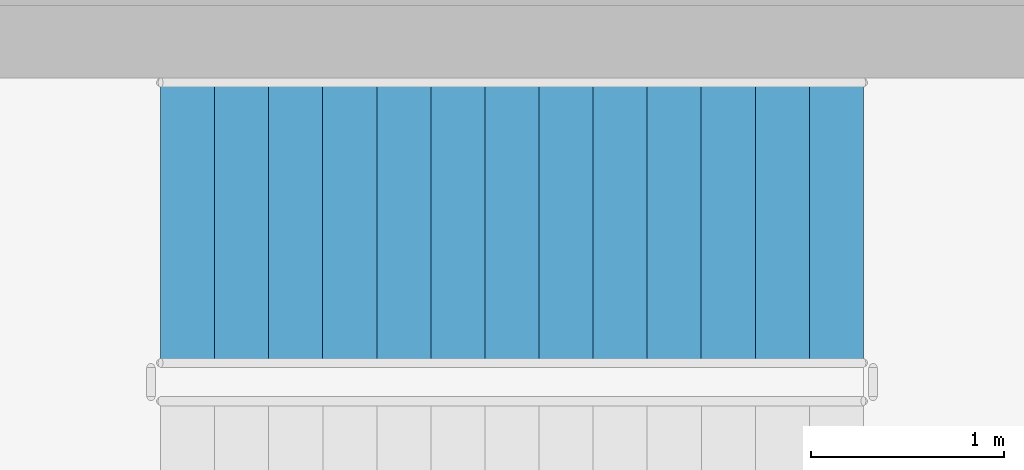
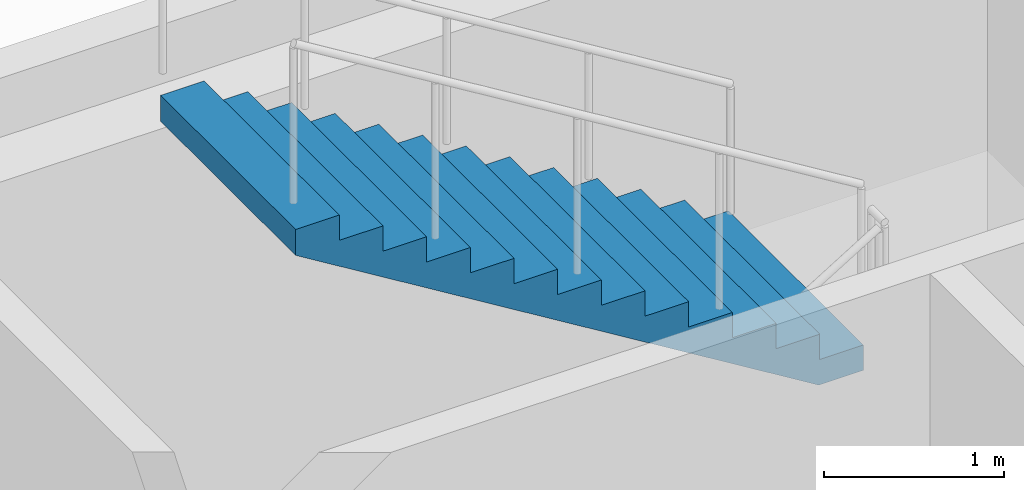
# One storey, part 74 of 91: 1 stair flight, 1 element without a shape of its own.
"""IFC4 building model written with IfcOpenShell, lengths in metres."""

from ifc_helpers import new_model, si_unit, direction, frame, origin, place, context, subcontext, project, spatial, triangles, material, type_object, element, aggregate, save


model = new_model("IFC4")

# Units and contexts
model_context = context("Model", 3, precision=1e-05, world=origin(), true_north=direction((0.0, 1.0)))
body_context = subcontext(model_context, "Body", "Model", "MODEL_VIEW")
ifc_project = project(units=[si_unit("LENGTHUNIT", "METRE"), si_unit("AREAUNIT", "SQUARE_METRE"), si_unit("VOLUMEUNIT", "CUBIC_METRE"), si_unit("PLANEANGLEUNIT", "RADIAN"), si_unit("MASSUNIT", "GRAM", prefix="KILO")], contexts=[model_context])

# Site, building, storey
site_placement = place(None, origin())
site = spatial("IfcSite", under=ifc_project, at=site_placement, CompositionType="ELEMENT")
building_placement = place(site_placement, origin())
building = spatial("IfcBuilding", under=site, at=building_placement, Name="Magnolia Steps Interchange", CompositionType="ELEMENT")
storey_placement = place(building_placement, origin())
storey = spatial("IfcBuildingStorey", under=building, at=storey_placement, Name="L00", CompositionType="ELEMENT", Elevation=0.0)

# Stair, stair flight
ifc_material_1 = material(Name="Concrete C40", Category="concrete")
stair_type = type_object("IfcStairType", Name="Exit stair 1500", PredefinedType="HALF_TURN_STAIR", material=ifc_material_1)
stair_placement = place(storey_placement, origin())
stair = element("IfcStair", 1, at=stair_placement, inside=storey, type_object=stair_type, Name="L00 Stair 27", PredefinedType="HALF_TURN_STAIR")
ifc_material_2 = material(Name="Concrete C40", Category="concrete")
stair_flight_type = type_object("IfcStairFlightType", Name="Exit stair flight", PredefinedType="STRAIGHT", material=ifc_material_2)
stair_flight_placement = place(storey_placement, frame((126.639892578125, 95.14990234375, 2.39990234375), z_axis=(0.0, 0.0, 1.0), x_axis=(-1.0, 0.0, 0.0)))
stair_flight = element("IfcStairFlight", 2, at=stair_flight_placement, type_object=stair_flight_type, Name="Stair 27 flight 2", NumberOfRisers=14, NumberOfTreads=13, PredefinedType="STRAIGHT", RiserHeight=0.171428571, TreadLength=0.28, context=body_context, shape_type="Tessellation", body=[
    triangles([(0.0, -0.75, 0.0), (0.287109375, -0.75, 0.0), (3.639892578125, -0.75, 2.052734375), (3.639892578125, -0.75, 2.228515625), (3.360107421875, -0.75, 2.228515625), (3.360107421875, -0.75, 2.05712890625), (3.080078125, -0.75, 2.05712890625), (3.080078125, -0.75, 1.8857421875), (2.800048828125, -0.75, 1.8857421875), (2.800048828125, -0.75, 1.71435546875), (2.52001953125, -0.75, 1.71435546875), (2.52001953125, -0.75, 1.54296875), (2.239990234375, -0.75, 1.54296875), (2.239990234375, -0.75, 1.371337890625), (1.9599609375, -0.75, 1.371337890625), (1.9599609375, -0.75, 1.199951171875), (1.679931640625, -0.75, 1.199951171875), (1.679931640625, -0.75, 1.028564453125), (1.39990234375, -0.75, 1.028564453125), (1.39990234375, -0.75, 0.857177734375), (1.1201171875, -0.75, 0.857177734375), (1.1201171875, -0.75, 0.685791015625), (0.840087890625, -0.75, 0.685791015625), (0.840087890625, -0.75, 0.514404296875), (0.56005859375, -0.75, 0.514404296875), (0.56005859375, -0.75, 0.3427734375), (0.280029296875, -0.75, 0.3427734375), (0.280029296875, -0.75, 0.17138671875), (0.0, -0.75, 0.17138671875), (0.0, 0.75, 0.0), (0.287109375, 0.75, 0.0), (3.639892578125, 0.75, 2.052734375), (3.639892578125, 0.75, 2.228515625), (3.360107421875, 0.75, 2.228515625), (3.360107421875, 0.75, 2.05712890625), (3.080078125, 0.75, 2.05712890625), (3.080078125, 0.75, 1.8857421875), (2.800048828125, 0.75, 1.8857421875), (2.800048828125, 0.75, 1.71435546875), (2.52001953125, 0.75, 1.71435546875), (2.52001953125, 0.75, 1.54296875), (2.239990234375, 0.75, 1.54296875), (2.239990234375, 0.75, 1.371337890625), (1.9599609375, 0.75, 1.371337890625), (1.9599609375, 0.75, 1.199951171875), (1.679931640625, 0.75, 1.199951171875), (1.679931640625, 0.75, 1.028564453125), (1.39990234375, 0.75, 1.028564453125), (1.39990234375, 0.75, 0.857177734375), (1.1201171875, 0.75, 0.857177734375), (1.1201171875, 0.75, 0.685791015625), (0.840087890625, 0.75, 0.685791015625), (0.840087890625, 0.75, 0.514404296875), (0.56005859375, 0.75, 0.514404296875), (0.56005859375, 0.75, 0.3427734375), (0.280029296875, 0.75, 0.3427734375), (0.280029296875, 0.75, 0.17138671875), (0.0, 0.75, 0.17138671875), (0.0, 0.0, 0.0), (0.0, 0.0, 0.0428466796875), (0.0, 0.0, 0.085693359375), (0.0, 0.0, 0.1285400390625), (0.0, 0.0, 0.17138671875), (0.0, -0.05, 0.0), (0.0, -0.05, 0.17138671875), (0.0, 0.05, 0.0), (0.0, 0.05, 0.17138671875), (0.046671549479166664, 0.0, 0.17138671875), (0.09334309895833333, 0.0, 0.17138671875), (0.1400146484375, 0.0, 0.17138671875), (0.18668619791666666, 0.0, 0.17138671875), (0.23335774739583334, 0.0, 0.17138671875), (0.280029296875, 0.0, 0.17138671875), (0.280029296875, -0.05, 0.17138671875), (0.280029296875, 0.05, 0.17138671875), (0.280029296875, 0.0, 0.2142333984375), (0.280029296875, 0.0, 0.257080078125), (0.280029296875, 0.0, 0.2999267578125), (0.280029296875, 0.0, 0.3427734375), (0.280029296875, -0.05, 0.3427734375), (0.280029296875, 0.05, 0.3427734375), (0.3267008463541667, 0.0, 0.3427734375), (0.3733723958333333, 0.0, 0.3427734375), (0.4200439453125, 0.0, 0.3427734375), (0.46671549479166663, 0.0, 0.3427734375), (0.5133870442708334, 0.0, 0.3427734375), (0.56005859375, 0.0, 0.3427734375), (0.56005859375, -0.05, 0.3427734375), (0.56005859375, 0.05, 0.3427734375), (0.56005859375, 0.0, 0.38568115234375), (0.56005859375, 0.0, 0.4285888671875), (0.56005859375, 0.0, 0.47149658203125), (0.56005859375, 0.0, 0.514404296875), (0.56005859375, -0.05, 0.514404296875), (0.56005859375, 0.05, 0.514404296875), (0.6067301432291666, 0.0, 0.514404296875), (0.6534016927083334, 0.0, 0.514404296875), (0.7000732421875, 0.0, 0.514404296875), (0.7467447916666666, 0.0, 0.514404296875), (0.7934163411458334, 0.0, 0.514404296875), (0.840087890625, 0.0, 0.514404296875), (0.840087890625, -0.05, 0.514404296875), (0.840087890625, 0.05, 0.514404296875), (0.840087890625, 0.0, 0.5572509765625), (0.840087890625, 0.0, 0.60009765625), (0.840087890625, 0.0, 0.6429443359375), (0.840087890625, 0.0, 0.685791015625), (0.840087890625, -0.05, 0.685791015625), (0.840087890625, 0.05, 0.685791015625), (0.8867594401041666, 0.0, 0.685791015625), (0.9334309895833334, 0.0, 0.685791015625), (0.9801025390625, 0.0, 0.685791015625), (1.0267740885416667, 0.0, 0.685791015625), (1.0734456380208333, 0.0, 0.685791015625), (1.1201171875, 0.0, 0.685791015625), (1.1201171875, -0.05, 0.685791015625), (1.1201171875, 0.05, 0.685791015625), (1.1201171875, 0.0, 0.7286376953125), (1.1201171875, 0.0, 0.771484375), (1.1201171875, 0.0, 0.8143310546875), (1.1201171875, 0.0, 0.857177734375), (1.1201171875, -0.05, 0.857177734375), (1.1201171875, 0.05, 0.857177734375), (1.1900634765625, 0.0, 0.857177734375), (1.260009765625, 0.0, 0.857177734375), (1.3299560546875, 0.0, 0.857177734375), (1.39990234375, 0.0, 0.857177734375), (1.39990234375, -0.05, 0.857177734375), (1.39990234375, 0.05, 0.857177734375), (1.39990234375, 0.0, 0.9000244140625), (1.39990234375, 0.0, 0.94287109375), (1.39990234375, 0.0, 0.9857177734375), (1.39990234375, 0.0, 1.028564453125), (1.39990234375, -0.05, 1.028564453125), (1.39990234375, 0.05, 1.028564453125), (1.4465738932291667, 0.0, 1.028564453125), (1.4932454427083333, 0.0, 1.028564453125), (1.5399169921875, 0.0, 1.028564453125), (1.5865885416666667, 0.0, 1.028564453125), (1.6332600911458333, 0.0, 1.028564453125), (1.679931640625, 0.0, 1.028564453125), (1.679931640625, -0.05, 1.028564453125), (1.679931640625, 0.05, 1.028564453125), (1.679931640625, 0.0, 1.0714111328125), (1.679931640625, 0.0, 1.1142578125), (1.679931640625, 0.0, 1.1571044921875), (1.679931640625, 0.0, 1.199951171875), (1.679931640625, -0.05, 1.199951171875), (1.679931640625, 0.05, 1.199951171875), (1.7266031901041667, 0.0, 1.199951171875), (1.7732747395833333, 0.0, 1.199951171875), (1.8199462890625, 0.0, 1.199951171875), (1.8666178385416667, 0.0, 1.199951171875), (1.9132893880208333, 0.0, 1.199951171875), (1.9599609375, 0.0, 1.199951171875), (1.9599609375, -0.05, 1.199951171875), (1.9599609375, 0.05, 1.199951171875), (1.9599609375, 0.0, 1.2427978515625), (1.9599609375, 0.0, 1.28564453125), (1.9599609375, 0.0, 1.3284912109375), (1.9599609375, 0.0, 1.371337890625), (1.9599609375, -0.05, 1.371337890625), (1.9599609375, 0.05, 1.371337890625), (2.0066324869791665, 0.0, 1.371337890625), (2.0533040364583335, 0.0, 1.371337890625), (2.0999755859375, 0.0, 1.371337890625), (2.1466471354166665, 0.0, 1.371337890625), (2.1933186848958335, 0.0, 1.371337890625), (2.239990234375, 0.0, 1.371337890625), (2.239990234375, -0.05, 1.371337890625), (2.239990234375, 0.05, 1.371337890625), (2.239990234375, 0.0, 1.41424560546875), (2.239990234375, 0.0, 1.4571533203125), (2.239990234375, 0.0, 1.50006103515625), (2.239990234375, 0.0, 1.54296875), (2.239990234375, -0.05, 1.54296875), (2.239990234375, 0.05, 1.54296875), (2.2866617838541665, 0.0, 1.54296875), (2.3333333333333335, 0.0, 1.54296875), (2.3800048828125, 0.0, 1.54296875), (2.4266764322916665, 0.0, 1.54296875), (2.4733479817708335, 0.0, 1.54296875), (2.52001953125, 0.0, 1.54296875), (2.52001953125, -0.05, 1.54296875), (2.52001953125, 0.05, 1.54296875), (2.52001953125, 0.0, 1.5858154296875), (2.52001953125, 0.0, 1.628662109375), (2.52001953125, 0.0, 1.6715087890625), (2.52001953125, 0.0, 1.71435546875), (2.52001953125, -0.05, 1.71435546875), (2.52001953125, 0.05, 1.71435546875), (2.5666910807291665, 0.0, 1.71435546875), (2.6133626302083335, 0.0, 1.71435546875), (2.6600341796875, 0.0, 1.71435546875), (2.7067057291666665, 0.0, 1.71435546875), (2.7533772786458335, 0.0, 1.71435546875), (2.800048828125, 0.0, 1.71435546875), (2.800048828125, -0.05, 1.71435546875), (2.800048828125, 0.05, 1.71435546875), (2.800048828125, 0.0, 1.7572021484375), (2.800048828125, 0.0, 1.800048828125), (2.800048828125, 0.0, 1.8428955078125), (2.800048828125, 0.0, 1.8857421875), (2.800048828125, -0.05, 1.8857421875), (2.800048828125, 0.05, 1.8857421875), (2.8467203776041665, 0.0, 1.8857421875), (2.8933919270833335, 0.0, 1.8857421875), (2.9400634765625, 0.0, 1.8857421875), (2.9867350260416665, 0.0, 1.8857421875), (3.0334065755208335, 0.0, 1.8857421875), (3.080078125, 0.0, 1.8857421875), (3.080078125, -0.05, 1.8857421875), (3.080078125, 0.05, 1.8857421875), (3.080078125, 0.0, 1.9285888671875), (3.080078125, 0.0, 1.971435546875), (3.080078125, 0.0, 2.0142822265625), (3.080078125, 0.0, 2.05712890625), (3.080078125, -0.05, 2.05712890625), (3.080078125, 0.05, 2.05712890625), (3.1267496744791665, 0.0, 2.05712890625), (3.1734212239583335, 0.0, 2.05712890625), (3.2200927734375, 0.0, 2.05712890625), (3.2667643229166665, 0.0, 2.05712890625), (3.3134358723958335, 0.0, 2.05712890625), (3.360107421875, 0.0, 2.05712890625), (3.360107421875, -0.05, 2.05712890625), (3.360107421875, 0.05, 2.05712890625), (3.360107421875, 0.0, 2.0999755859375), (3.360107421875, 0.0, 2.142822265625), (3.360107421875, 0.0, 2.1856689453125), (3.360107421875, 0.0, 2.228515625), (3.360107421875, -0.05, 2.228515625), (3.360107421875, 0.05, 2.228515625), (3.4300537109375, 0.0, 2.228515625), (3.5, 0.0, 2.228515625), (3.5699462890625, 0.0, 2.228515625), (3.639892578125, 0.0, 2.228515625), (3.639892578125, -0.05, 2.228515625), (3.639892578125, 0.05, 2.228515625), (3.639892578125, 0.0, 2.1845703125), (3.639892578125, 0.0, 2.140625), (3.639892578125, 0.0, 2.0966796875), (3.639892578125, 0.0, 2.052734375), (3.639892578125, -0.05, 2.052734375), (3.639892578125, 0.05, 2.052734375), (3.582085971174569, 0.0, 2.0173424030172415), (3.524279364224138, 0.0, 1.9819504310344827), (3.466472757273707, 0.0, 1.9465584590517242), (3.408666150323276, 0.0, 1.9111664870689655), (3.3508595433728448, 0.0, 1.8757745150862069), (3.2930529364224137, 0.0, 1.8403825431034484), (3.2352463294719827, 0.0, 1.8049905711206897), (3.1774397225215516, 0.0, 1.769598599137931), (3.1196331155711206, 0.0, 1.7342066271551724), (3.0618265086206895, 0.0, 1.6988146551724137), (3.004019901670259, 0.0, 1.6634226831896552), (2.9462132947198274, 0.0, 1.6280307112068966), (2.888406687769397, 0.0, 1.592638739224138), (2.8306000808189653, 0.0, 1.5572467672413794), (2.7727934738685347, 0.0, 1.5218547952586206), (2.714986866918103, 0.0, 1.486462823275862), (2.6571802599676726, 0.0, 1.4510708512931034), (2.599373653017241, 0.0, 1.4156788793103448), (2.5415670460668105, 0.0, 1.3802869073275863), (2.483760439116379, 0.0, 1.3448949353448276), (2.4259538321659484, 0.0, 1.309502963362069), (2.3681472252155173, 0.0, 1.2741109913793105), (2.3103406182650863, 0.0, 1.2387190193965516), (2.2525340113146552, 0.0, 1.2033270474137931), (2.194727404364224, 0.0, 1.1679350754310345), (2.136920797413793, 0.0, 1.1325431034482758), (2.079114190463362, 0.0, 1.0971511314655173), (2.021307583512931, 0.0, 1.0617591594827587), (1.9635009765625, 0.0, 1.0263671875), (1.905694369612069, 0.0, 0.9909752155172413), (1.847887762661638, 0.0, 0.9555832435344827), (1.7900811557112069, 0.0, 0.9201912715517242), (1.7322745487607758, 0.0, 0.8847992995689655), (1.6744679418103448, 0.0, 0.8494073275862069), (1.6166613348599137, 0.0, 0.8140153556034482), (1.5588547279094827, 0.0, 0.7786233836206897), (1.5010481209590516, 0.0, 0.743231411637931), (1.4432415140086206, 0.0, 0.7078394396551724), (1.3854349070581895, 0.0, 0.6724474676724137), (1.3276283001077585, 0.0, 0.6370554956896552), (1.2698216931573274, 0.0, 0.6016635237068966), (1.2120150862068964, 0.0, 0.5662715517241379), (1.1542084792564653, 0.0, 0.5308795797413792), (1.0964018723060347, 0.0, 0.4954876077586208), (1.0385952653556036, 0.0, 0.4600956357758621), (0.9807886584051726, 0.0, 0.4247036637931034), (0.9229820514547415, 0.0, 0.38931169181034475), (0.8651754445043105, 0.0, 0.3539197198275863), (0.8073688375538794, 0.0, 0.3185277478448276), (0.7495622306034484, 0.0, 0.28313577586206895), (0.6917556236530173, 0.0, 0.24774380387931028), (0.6339490167025863, 0.0, 0.21235183189655182), (0.5761424097521552, 0.0, 0.17695985991379315), (0.5183358028017242, 0.0, 0.14156788793103448), (0.46052919585129315, 0.0, 0.1061759159482758), (0.4027225889008621, 0.0, 0.07078394396551735), (0.34491598195043105, 0.0, 0.03539197198275845), (0.287109375, 0.0, 0.0), (0.287109375, -0.05, 0.0), (0.287109375, 0.05, 0.0), (0.2392578125, 0.0, 0.0), (0.19140625, 0.0, 0.0), (0.1435546875, 0.0, 0.0), (0.095703125, 0.0, 0.0), (0.0478515625, 0.0, 0.0)], [[1, 2, 3], [3, 4, 5], [3, 5, 6], [3, 6, 7], [3, 7, 8], [8, 9, 10], [3, 8, 10], [10, 11, 12], [3, 10, 12], [12, 13, 14], [3, 12, 14], [14, 15, 16], [3, 14, 16], [16, 17, 18], [3, 16, 18], [18, 19, 20], [3, 18, 20], [20, 21, 22], [3, 20, 22], [22, 23, 24], [3, 22, 24], [24, 25, 26], [3, 24, 26], [26, 27, 28], [3, 26, 28], [1, 3, 28], [28, 29, 1], [30, 32, 31], [32, 34, 33], [32, 35, 34], [32, 36, 35], [32, 37, 36], [37, 39, 38], [32, 39, 37], [39, 41, 40], [32, 41, 39], [41, 43, 42], [32, 43, 41], [43, 45, 44], [32, 45, 43], [45, 47, 46], [32, 47, 45], [47, 49, 48], [32, 49, 47], [49, 51, 50], [32, 51, 49], [51, 53, 52], [32, 53, 51], [53, 55, 54], [32, 55, 53], [55, 57, 56], [32, 57, 55], [30, 57, 32], [57, 30, 58], [1, 29, 65], [1, 65, 64], [64, 60, 59], [64, 61, 60], [64, 65, 61], [65, 62, 61], [65, 63, 62], [30, 67, 58], [30, 66, 67], [66, 59, 60], [66, 60, 61], [66, 61, 67], [67, 61, 62], [67, 62, 63], [29, 28, 74], [29, 74, 65], [65, 68, 63], [65, 69, 68], [65, 70, 69], [65, 74, 70], [74, 71, 70], [74, 72, 71], [74, 73, 72], [58, 75, 57], [58, 67, 75], [67, 63, 68], [67, 68, 69], [67, 69, 70], [67, 70, 75], [75, 70, 71], [75, 71, 72], [75, 72, 73], [28, 27, 80], [28, 80, 74], [74, 76, 73], [74, 77, 76], [74, 80, 77], [80, 78, 77], [80, 79, 78], [57, 81, 56], [57, 75, 81], [75, 73, 76], [75, 76, 77], [75, 77, 81], [81, 77, 78], [81, 78, 79], [27, 26, 88], [27, 88, 80], [80, 82, 79], [80, 83, 82], [80, 84, 83], [80, 88, 84], [88, 85, 84], [88, 86, 85], [88, 87, 86], [56, 89, 55], [56, 81, 89], [81, 79, 82], [81, 82, 83], [81, 83, 84], [81, 84, 89], [89, 84, 85], [89, 85, 86], [89, 86, 87], [26, 25, 94], [26, 94, 88], [88, 90, 87], [88, 91, 90], [88, 94, 91], [94, 92, 91], [94, 93, 92], [55, 95, 54], [55, 89, 95], [89, 87, 90], [89, 90, 91], [89, 91, 95], [95, 91, 92], [95, 92, 93], [25, 24, 102], [25, 102, 94], [94, 96, 93], [94, 97, 96], [94, 98, 97], [94, 102, 98], [102, 99, 98], [102, 100, 99], [102, 101, 100], [54, 103, 53], [54, 95, 103], [95, 93, 96], [95, 96, 97], [95, 97, 98], [95, 98, 103], [103, 98, 99], [103, 99, 100], [103, 100, 101], [24, 23, 108], [24, 108, 102], [102, 104, 101], [102, 105, 104], [102, 108, 105], [108, 106, 105], [108, 107, 106], [53, 109, 52], [53, 103, 109], [103, 101, 104], [103, 104, 105], [103, 105, 109], [109, 105, 106], [109, 106, 107], [23, 22, 116], [23, 116, 108], [108, 110, 107], [108, 111, 110], [108, 112, 111], [108, 116, 112], [116, 113, 112], [116, 114, 113], [116, 115, 114], [52, 117, 51], [52, 109, 117], [109, 107, 110], [109, 110, 111], [109, 111, 112], [109, 112, 117], [117, 112, 113], [117, 113, 114], [117, 114, 115], [22, 21, 122], [22, 122, 116], [116, 118, 115], [116, 119, 118], [116, 122, 119], [122, 120, 119], [122, 121, 120], [51, 123, 50], [51, 117, 123], [117, 115, 118], [117, 118, 119], [117, 119, 123], [123, 119, 120], [123, 120, 121], [21, 20, 128], [21, 128, 122], [122, 124, 121], [122, 125, 124], [122, 128, 125], [128, 126, 125], [128, 127, 126], [50, 129, 49], [50, 123, 129], [123, 121, 124], [123, 124, 125], [123, 125, 129], [129, 125, 126], [129, 126, 127], [20, 19, 134], [20, 134, 128], [128, 130, 127], [128, 131, 130], [128, 134, 131], [134, 132, 131], [134, 133, 132], [49, 135, 48], [49, 129, 135], [129, 127, 130], [129, 130, 131], [129, 131, 135], [135, 131, 132], [135, 132, 133], [19, 18, 142], [19, 142, 134], [134, 136, 133], [134, 137, 136], [134, 138, 137], [134, 142, 138], [142, 139, 138], [142, 140, 139], [142, 141, 140], [48, 143, 47], [48, 135, 143], [135, 133, 136], [135, 136, 137], [135, 137, 138], [135, 138, 143], [143, 138, 139], [143, 139, 140], [143, 140, 141], [18, 17, 148], [18, 148, 142], [142, 144, 141], [142, 145, 144], [142, 148, 145], [148, 146, 145], [148, 147, 146], [47, 149, 46], [47, 143, 149], [143, 141, 144], [143, 144, 145], [143, 145, 149], [149, 145, 146], [149, 146, 147], [17, 16, 156], [17, 156, 148], [148, 150, 147], [148, 151, 150], [148, 152, 151], [148, 156, 152], [156, 153, 152], [156, 154, 153], [156, 155, 154], [46, 157, 45], [46, 149, 157], [149, 147, 150], [149, 150, 151], [149, 151, 152], [149, 152, 157], [157, 152, 153], [157, 153, 154], [157, 154, 155], [16, 15, 162], [16, 162, 156], [156, 158, 155], [156, 159, 158], [156, 162, 159], [162, 160, 159], [162, 161, 160], [45, 163, 44], [45, 157, 163], [157, 155, 158], [157, 158, 159], [157, 159, 163], [163, 159, 160], [163, 160, 161], [15, 14, 170], [15, 170, 162], [162, 164, 161], [162, 165, 164], [162, 166, 165], [162, 170, 166], [170, 167, 166], [170, 168, 167], [170, 169, 168], [44, 171, 43], [44, 163, 171], [163, 161, 164], [163, 164, 165], [163, 165, 166], [163, 166, 171], [171, 166, 167], [171, 167, 168], [171, 168, 169], [14, 13, 176], [14, 176, 170], [170, 172, 169], [170, 173, 172], [170, 176, 173], [176, 174, 173], [176, 175, 174], [43, 177, 42], [43, 171, 177], [171, 169, 172], [171, 172, 173], [171, 173, 177], [177, 173, 174], [177, 174, 175], [13, 12, 184], [13, 184, 176], [176, 178, 175], [176, 179, 178], [176, 180, 179], [176, 184, 180], [184, 181, 180], [184, 182, 181], [184, 183, 182], [42, 185, 41], [42, 177, 185], [177, 175, 178], [177, 178, 179], [177, 179, 180], [177, 180, 185], [185, 180, 181], [185, 181, 182], [185, 182, 183], [12, 11, 190], [12, 190, 184], [184, 186, 183], [184, 187, 186], [184, 190, 187], [190, 188, 187], [190, 189, 188], [41, 191, 40], [41, 185, 191], [185, 183, 186], [185, 186, 187], [185, 187, 191], [191, 187, 188], [191, 188, 189], [11, 10, 198], [11, 198, 190], [190, 192, 189], [190, 193, 192], [190, 194, 193], [190, 198, 194], [198, 195, 194], [198, 196, 195], [198, 197, 196], [40, 199, 39], [40, 191, 199], [191, 189, 192], [191, 192, 193], [191, 193, 194], [191, 194, 199], [199, 194, 195], [199, 195, 196], [199, 196, 197], [10, 9, 204], [10, 204, 198], [198, 200, 197], [198, 201, 200], [198, 204, 201], [204, 202, 201], [204, 203, 202], [39, 205, 38], [39, 199, 205], [199, 197, 200], [199, 200, 201], [199, 201, 205], [205, 201, 202], [205, 202, 203], [9, 8, 212], [9, 212, 204], [204, 206, 203], [204, 207, 206], [204, 208, 207], [204, 212, 208], [212, 209, 208], [212, 210, 209], [212, 211, 210], [38, 213, 37], [38, 205, 213], [205, 203, 206], [205, 206, 207], [205, 207, 208], [205, 208, 213], [213, 208, 209], [213, 209, 210], [213, 210, 211], [8, 7, 218], [8, 218, 212], [212, 214, 211], [212, 215, 214], [212, 218, 215], [218, 216, 215], [218, 217, 216], [37, 219, 36], [37, 213, 219], [213, 211, 214], [213, 214, 215], [213, 215, 219], [219, 215, 216], [219, 216, 217], [7, 6, 226], [7, 226, 218], [218, 220, 217], [218, 221, 220], [218, 222, 221], [218, 226, 222], [226, 223, 222], [226, 224, 223], [226, 225, 224], [36, 227, 35], [36, 219, 227], [219, 217, 220], [219, 220, 221], [219, 221, 222], [219, 222, 227], [227, 222, 223], [227, 223, 224], [227, 224, 225], [6, 5, 232], [6, 232, 226], [226, 228, 225], [226, 229, 228], [226, 232, 229], [232, 230, 229], [232, 231, 230], [35, 233, 34], [35, 227, 233], [227, 225, 228], [227, 228, 229], [227, 229, 233], [233, 229, 230], [233, 230, 231], [5, 4, 238], [5, 238, 232], [232, 234, 231], [232, 235, 234], [232, 238, 235], [238, 236, 235], [238, 237, 236], [34, 239, 33], [34, 233, 239], [233, 231, 234], [233, 234, 235], [233, 235, 239], [239, 235, 236], [239, 236, 237], [4, 3, 244], [4, 244, 238], [238, 240, 237], [238, 241, 240], [238, 244, 241], [244, 242, 241], [244, 243, 242], [33, 245, 32], [33, 239, 245], [239, 237, 240], [239, 240, 241], [239, 241, 245], [245, 241, 242], [245, 242, 243], [3, 2, 304], [3, 304, 244], [244, 246, 243], [244, 247, 246], [244, 248, 247], [244, 249, 248], [244, 250, 249], [244, 251, 250], [244, 252, 251], [244, 253, 252], [244, 254, 253], [244, 255, 254], [244, 256, 255], [244, 257, 256], [244, 258, 257], [244, 259, 258], [244, 260, 259], [244, 261, 260], [244, 262, 261], [244, 263, 262], [244, 264, 263], [244, 265, 264], [244, 266, 265], [244, 267, 266], [244, 268, 267], [244, 269, 268], [244, 270, 269], [244, 271, 270], [244, 272, 271], [244, 273, 272], [244, 274, 273], [244, 304, 274], [304, 275, 274], [304, 276, 275], [304, 277, 276], [304, 278, 277], [304, 279, 278], [304, 280, 279], [304, 281, 280], [304, 282, 281], [304, 283, 282], [304, 284, 283], [304, 285, 284], [304, 286, 285], [304, 287, 286], [304, 288, 287], [304, 289, 288], [304, 290, 289], [304, 291, 290], [304, 292, 291], [304, 293, 292], [304, 294, 293], [304, 295, 294], [304, 296, 295], [304, 297, 296], [304, 298, 297], [304, 299, 298], [304, 300, 299], [304, 301, 300], [304, 302, 301], [304, 303, 302], [32, 305, 31], [32, 245, 305], [245, 243, 246], [245, 246, 247], [245, 247, 248], [245, 248, 249], [245, 249, 250], [245, 250, 251], [245, 251, 252], [245, 252, 253], [245, 253, 254], [245, 254, 255], [245, 255, 256], [245, 256, 257], [245, 257, 258], [245, 258, 259], [245, 259, 260], [245, 260, 261], [245, 261, 262], [245, 262, 263], [245, 263, 264], [245, 264, 265], [245, 265, 266], [245, 266, 267], [245, 267, 268], [245, 268, 269], [245, 269, 270], [245, 270, 271], [245, 271, 272], [245, 272, 273], [245, 273, 274], [245, 274, 305], [305, 274, 275], [305, 275, 276], [305, 276, 277], [305, 277, 278], [305, 278, 279], [305, 279, 280], [305, 280, 281], [305, 281, 282], [305, 282, 283], [305, 283, 284], [305, 284, 285], [305, 285, 286], [305, 286, 287], [305, 287, 288], [305, 288, 289], [305, 289, 290], [305, 290, 291], [305, 291, 292], [305, 292, 293], [305, 293, 294], [305, 294, 295], [305, 295, 296], [305, 296, 297], [305, 297, 298], [305, 298, 299], [305, 299, 300], [305, 300, 301], [305, 301, 302], [305, 302, 303], [2, 1, 64], [2, 64, 304], [304, 306, 303], [304, 307, 306], [304, 308, 307], [304, 64, 308], [64, 309, 308], [64, 310, 309], [64, 59, 310], [31, 66, 30], [31, 305, 66], [305, 303, 306], [305, 306, 307], [305, 307, 308], [305, 308, 66], [66, 308, 309], [66, 309, 310], [66, 310, 59]], closed=True),
])
aggregate(stair, [stair_flight])

save(model, "model.ifc")
